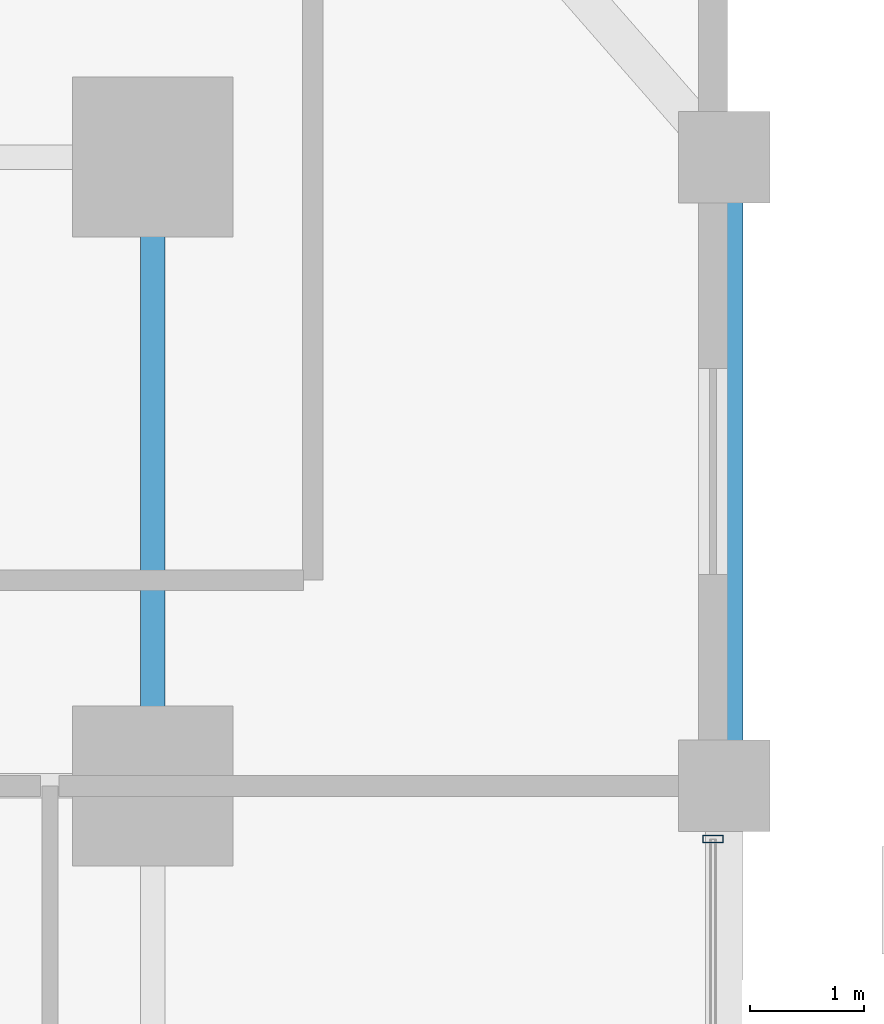
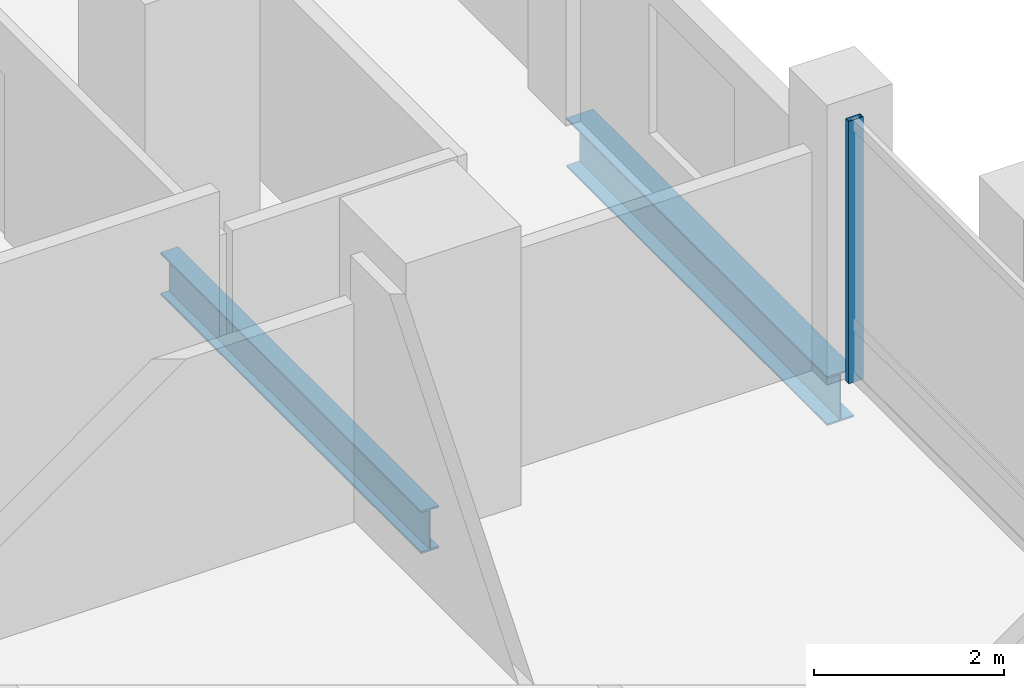
# One storey, part 15 of 24: 2 beams, 1 member, 1 element without a shape of its own.
"""IFC4 building model written with IfcOpenShell, lengths in metres."""

from ifc_helpers import new_model, si_unit, direction, frame, origin, origin_2d, place, context, subcontext, project, spatial, hollow_rectangle, i_section, extrude, material, layer, layer_set, material_profile, profile_set, type_object, element, aggregate, save


model = new_model("IFC4")

# Units and contexts
model_context = context("Model", 3, precision=1e-05, world=origin(), true_north=direction((0.0, 1.0)))
body_context = subcontext(model_context, "Body", "Model", "MODEL_VIEW")
ifc_project = project(units=[si_unit("LENGTHUNIT", "METRE"), si_unit("AREAUNIT", "SQUARE_METRE"), si_unit("VOLUMEUNIT", "CUBIC_METRE"), si_unit("PLANEANGLEUNIT", "RADIAN"), si_unit("MASSUNIT", "GRAM", prefix="KILO")], contexts=[model_context])

# Site, building, storey
site_placement = place(None, origin())
site = spatial("IfcSite", under=ifc_project, at=site_placement, CompositionType="ELEMENT")
building_placement = place(site_placement, origin())
building = spatial("IfcBuilding", under=site, at=building_placement, Name="Barlavira Tower and Art Museum", CompositionType="ELEMENT")
storey_placement = place(building_placement, frame((0.0, 0.0, 43.199951171875)))
storey = spatial("IfcBuildingStorey", under=building, at=storey_placement, Name="L09", CompositionType="ELEMENT", Elevation=43.199951171875)

# Curtain wall, member
ifc_material_1 = material(Name="Low-iron coastal laminated glass", Category="glass")
ifc_layer = layer(ifc_material_1, 0.179931640625, Name="Low-iron coastal laminated glass")
ifc_layer_set = layer_set([ifc_layer], Name="Low-iron coastal laminated glass")
curtain_wall_type = type_object("IfcCurtainWallType", Name="Pale-Metal Unitised Curtain Wall Zone 1", PredefinedType="NOTDEFINED", material=ifc_layer_set)
curtain_wall_placement = place(storey_placement, origin())
curtain_wall = element("IfcCurtainWall", 1, at=curtain_wall_placement, inside=storey, type_object=curtain_wall_type, Name="L09 Curtain Wall CW1-L09-E-B3", PredefinedType="NOTDEFINED")
ifc_material_2 = material(Name="Pale anodised aluminium", Category="aluminium")
ifc_material_profile_1 = material_profile(ifc_material_2, hollow_rectangle(XDim=0.06494140625, YDim=0.179931640625, WallThickness=0.00390625, at=origin_2d()), Name="ALU-MULL 65x180x4")
ifc_profile_set_1 = profile_set([ifc_material_profile_1], Name="Pale anodised aluminium")
member_type = type_object("IfcMemberType", Name="Curtain Wall Pale-Metal Mullion 65x180", PredefinedType="MULLION", material=ifc_profile_set_1)
member_placement = place(storey_placement, frame((21.89990234375, 7.034912109375, 0.0), z_axis=(0.0, 0.0, 1.0), x_axis=(0.0, 1.0, 0.0)))
member = element("IfcMember", 2, at=member_placement, type_object=member_type, Name="CW1-L09-E-B3 Mullion 3", PredefinedType="MULLION", context=body_context, shape_type="SweptSolid", body=[
    extrude(hollow_rectangle(XDim=0.06494140625, YDim=0.179931640625, WallThickness=0.00390625, at=origin_2d()), origin(), (0.0, 0.0, 1.0), 3.380126953125),
])
aggregate(curtain_wall, [member])

# Beams
ifc_material_3 = material(Name="Steel S355", Category="steel")
ifc_material_profile_2 = material_profile(ifc_material_3, i_section(OverallWidth=0.327880859375, OverallDepth=0.62890625, WebThickness=0.013916015625, FlangeThickness=0.021484375, at=origin_2d()), Name="W610x174.0")
ifc_profile_set_2 = profile_set([ifc_material_profile_2], Name="Steel S355")
beam_type_1 = type_object("IfcBeamType", Name="Perimeter Spandrel Edge Beam W610x174 Steel S355", PredefinedType="SPANDREL", material=ifc_profile_set_2)
beam_1_placement = place(storey_placement, frame((22.0, 7.5, -0.534423828125), z_axis=(0.0, 1.0, 0.0), x_axis=(-1.0, 0.0, 0.0)))
element("IfcBeam", 3, at=beam_1_placement, inside=storey, type_object=beam_type_1, Name="L09 Spandrel 7", PredefinedType="SPANDREL", context=body_context, shape_type="SweptSolid", body=[
    extrude(i_section(OverallWidth=0.327880859375, OverallDepth=0.62890625, WebThickness=0.013916015625, FlangeThickness=0.021484375, at=origin_2d()), origin(), (0.0, 0.0, 1.0), 5.5),
])
ifc_material_profile_3 = material_profile(ifc_material_3, i_section(OverallWidth=0.214111328125, OverallDepth=0.549072265625, WebThickness=0.0146484375, FlangeThickness=0.023681640625, at=origin_2d()), Name="W530x138.0")
ifc_profile_set_3 = profile_set([ifc_material_profile_3], Name="Steel S355")
beam_type_2 = type_object("IfcBeamType", Name="Zone 1 Primary Floor Girder W530x138 Steel S355", PredefinedType="BEAM", material=ifc_profile_set_3)
beam_2_placement = place(storey_placement, frame((17.0, 7.5, -0.494384765625), z_axis=(0.0, 1.0, 0.0), x_axis=(-1.0, 0.0, 0.0)))
element("IfcBeam", 4, at=beam_2_placement, inside=storey, type_object=beam_type_2, Name="L09 Girder M-E3", PredefinedType="BEAM", context=body_context, shape_type="SweptSolid", body=[
    extrude(i_section(OverallWidth=0.214111328125, OverallDepth=0.549072265625, WebThickness=0.0146484375, FlangeThickness=0.023681640625, at=origin_2d()), origin(), (0.0, 0.0, 1.0), 5.5),
])

save(model, "model.ifc")
